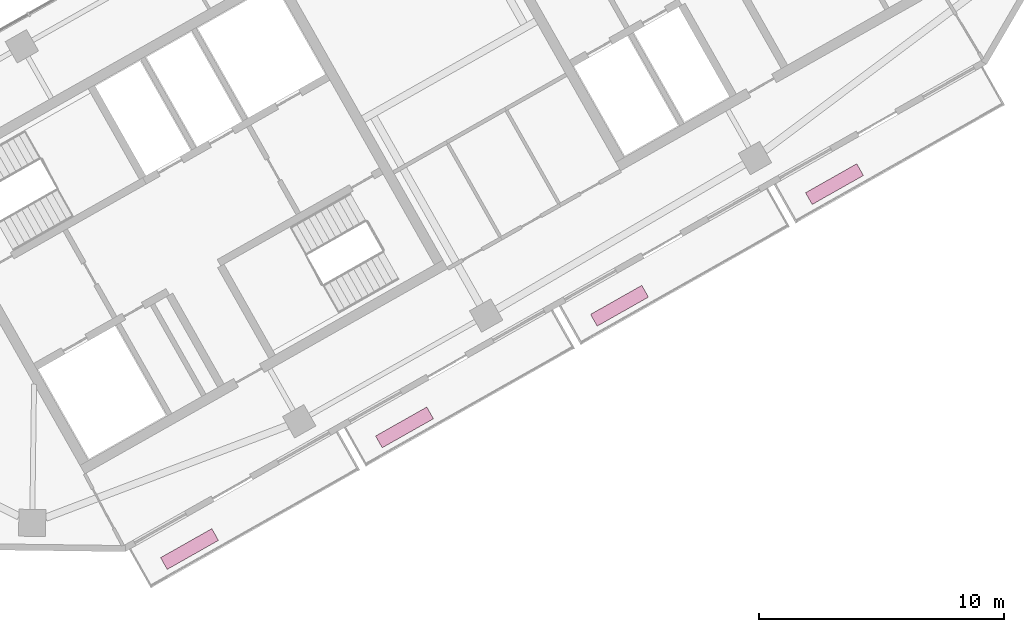
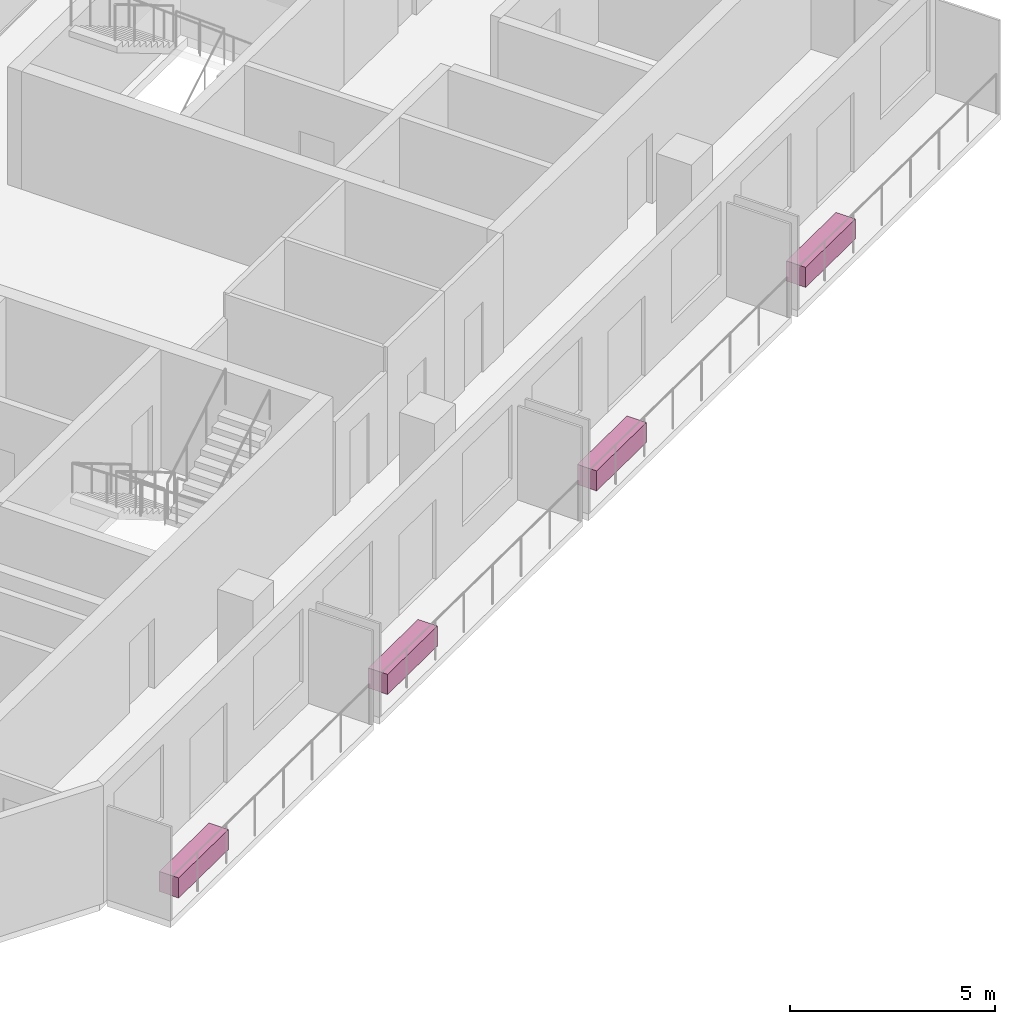
# One storey, part 10 of 10: 4 furnishings.
"""IFC4 building model written with IfcOpenShell, lengths in metres."""

import ifcopenshell
import ifcopenshell.guid

model = None  # the IFC model being written
_history = None  # IfcOwnerHistory: only IFC2X3 demands one
_inside = {}  # id of a spatial element -> (the spatial element, [elements in it])
_under = {}  # id of a project, library or spatial element -> (it, [spatial elements below it])
_declared = {}  # id of a project -> (the project, [libraries it declares])
_typed = {}  # id of a type object -> (the type object, [elements of that type])
_made_of = {}  # id of a material, layer set ... -> (it, [elements and type objects made of it])


def new_model(schema):
    """Start an empty IFC model of exactly this schema.

    Asked for "IFC4X3", IfcOpenShell would pick the latest addendum, in which some entities
    have other attributes; the version numbers below select the first issue.
    IFC2X3 requires an IfcOwnerHistory on every rooted entity: one is made here for all.
    """
    global model, _history
    if schema == "IFC4X3":
        model = ifcopenshell.file(schema_version=(4, 3, 0, 0))
    else:
        model = ifcopenshell.file(schema=schema)
    _inside.clear()
    _under.clear()
    _declared.clear()
    _typed.clear()
    _made_of.clear()
    _history = None
    if model.schema == "IFC2X3":
        org = make("IfcOrganization", Name="unknown")
        user = make(
            "IfcPersonAndOrganization",
            ThePerson=make("IfcPerson", FamilyName="unknown"),
            TheOrganization=org,
        )
        app = make(
            "IfcApplication",
            ApplicationDeveloper=org,
            Version="unknown",
            ApplicationFullName="unknown",
            ApplicationIdentifier="unknown",
        )
        _history = make(
            "IfcOwnerHistory",
            OwningUser=user,
            OwningApplication=app,
            ChangeAction="ADDED",
            CreationDate=0,
        )
    return model


def make(cls, **values):
    """One entity of the class cls with the attributes given. An attribute that is None is left unset."""
    return model.create_entity(
        cls, **{name: value for name, value in values.items() if value is not None}
    )


def rooted(cls, **values):
    """An entity with a GlobalId (a new one), such as an element, a storey or a relation."""
    return make(cls, GlobalId=ifcopenshell.guid.new(), OwnerHistory=_history, **values)


def si_unit(unit_type, name, prefix=None):
    """IfcSIUnit, for example si_unit("LENGTHUNIT", "METRE", prefix="MILLI")."""
    return make("IfcSIUnit", UnitType=unit_type, Prefix=prefix, Name=name)


def assignment(units):
    """IfcUnitAssignment: the units of a project."""
    return None if units is None else make("IfcUnitAssignment", Units=units)


def point(xyz):
    """IfcCartesianPoint."""
    return None if xyz is None else make("IfcCartesianPoint", Coordinates=xyz)


def direction(xyz):
    """IfcDirection."""
    return None if xyz is None else make("IfcDirection", DirectionRatios=xyz)


def frame(location, z_axis=None, x_axis=None):
    """IfcAxis2Placement3D, a coordinate frame: its origin and axes. An axis left out is left unset."""
    return make(
        "IfcAxis2Placement3D",
        Location=point(location),
        Axis=direction(z_axis),
        RefDirection=direction(x_axis),
    )


def frame_2d(location, x_axis=None):
    """IfcAxis2Placement2D, a coordinate frame in the plane: its origin and x axis."""
    return make(
        "IfcAxis2Placement2D", Location=point(location), RefDirection=direction(x_axis)
    )


def origin():
    """The frame at (0, 0, 0) with its axes left unset."""
    return frame((0.0, 0.0, 0.0))


def origin_2d():
    """The frame at (0, 0) in the plane with its x axis left unset."""
    return frame_2d((0.0, 0.0))


def place(relative_to, where):
    """IfcLocalPlacement: puts the frame where relative to a parent placement (None: the world)."""
    return make(
        "IfcLocalPlacement", PlacementRelTo=relative_to, RelativePlacement=where
    )


def context(
    kind, dimensions, precision=None, world=None, true_north=None, identifier=None
):
    """IfcGeometricRepresentationContext, for example the 3D "Model" context."""
    return make(
        "IfcGeometricRepresentationContext",
        ContextIdentifier=identifier,
        ContextType=kind,
        CoordinateSpaceDimension=dimensions,
        Precision=precision,
        WorldCoordinateSystem=world,
        TrueNorth=true_north,
    )


def subcontext(parent, identifier, kind, view, scale=None):
    """IfcGeometricRepresentationSubContext, for example "Body" below "Model"."""
    return make(
        "IfcGeometricRepresentationSubContext",
        ContextIdentifier=identifier,
        ContextType=kind,
        ParentContext=parent,
        TargetScale=scale,
        TargetView=view,
    )


def project(units=None, contexts=None):
    """IfcProject with its units and contexts."""
    return rooted(
        "IfcProject",
        Name="project",
        RepresentationContexts=contexts,
        UnitsInContext=assignment(units),
    )


def spatial(cls, under=None, at=None, **own):
    """A site, building, storey or space (cls), placed at a placement, below another one or the project."""
    s = rooted(cls, ObjectPlacement=at, **own)
    if under is not None:
        _under.setdefault(under.id(), (under, []))[1].append(s)
    return s


def profile(cls, at=None, kind="AREA", **sizes):
    """A parametric profile (cls). Its sizes go by their IFC names, for example OverallWidth=200.0."""
    return make(cls, ProfileType=kind, Position=at, **sizes)


def rectangle(**sizes):
    """IfcRectangleProfileDef."""
    return profile("IfcRectangleProfileDef", **sizes)


def extrude(swept, where, along, depth):
    """IfcExtrudedAreaSolid: the profile swept, set in the frame where, extruded along a direction by depth."""
    return make(
        "IfcExtrudedAreaSolid",
        SweptArea=swept,
        Position=where,
        ExtrudedDirection=direction(along),
        Depth=depth,
    )


def shape(context_of_items, identifier, shape_type, items):
    """IfcShapeRepresentation: the items that make up one representation, for example the "Body"."""
    return make(
        "IfcShapeRepresentation",
        ContextOfItems=context_of_items,
        RepresentationIdentifier=identifier,
        RepresentationType=shape_type,
        Items=items,
    )


def material(Name=None, Category=None):
    """IfcMaterial."""
    return make("IfcMaterial", Name=Name, Category=Category)


def made_of(thing, what):
    """Note that an element or type object is made of a material, layer set ...; save() writes the relation."""
    if what is not None:
        _made_of.setdefault(what.id(), (what, []))[1].append(thing)
    return thing


def type_object(cls, material=None, **own):
    """A type object (cls), such as IfcWallType, which elements share."""
    return made_of(rooted(cls, **own), material)


def element(
    cls,
    number,
    at=None,
    inside=None,
    cuts=None,
    type_object=None,
    material=None,
    context=None,
    identifier="Body",
    shape_type=None,
    held_by="IfcProductDefinitionShape",
    body=None,
    shapes=None,
    **own,
):
    """One element of the class cls, such as IfcWall. Its Tag is "e" and its number.

    at: its placement. inside: the storey or other place that contains it. cuts: it is an
    opening in that element (IfcRelVoidsElement). A single representation is given by context,
    identifier, shape_type and body (its items); several are given by shapes. held_by: the class
    of the entity that holds the representations. save() writes the other relations.
    """
    e = rooted(cls, Tag="e%d" % number, ObjectPlacement=at, **own)
    if body is not None:
        shapes = [shape(context, identifier, shape_type, body)]
    if shapes is not None:
        e.Representation = make(held_by, Representations=shapes)
    if inside is not None:
        _inside.setdefault(inside.id(), (inside, []))[1].append(e)
    if cuts is not None:
        rooted(
            "IfcRelVoidsElement", RelatingBuildingElement=cuts, RelatedOpeningElement=e
        )
    if type_object is not None:
        _typed.setdefault(type_object.id(), (type_object, []))[1].append(e)
    return made_of(e, material)


def aggregate(whole, parts):
    """IfcRelAggregates: a whole, such as a stair, and the parts it consists of."""
    return rooted("IfcRelAggregates", RelatingObject=whole, RelatedObjects=parts)


def save(model, path):
    """Write the relations noted so far, then the file.

    IfcRelAggregates (storeys below a building ...), IfcRelContainedInSpatialStructure (elements
    in a storey), IfcRelDefinesByType, IfcRelAssociatesMaterial and IfcRelDeclares: one each for
    every whole, place, type object, material and project.
    """
    for whole, parts in _under.values():
        aggregate(whole, parts)
    for where, things in _inside.values():
        rooted(
            "IfcRelContainedInSpatialStructure",
            RelatedElements=things,
            RelatingStructure=where,
        )
    for kind, things in _typed.values():
        rooted("IfcRelDefinesByType", RelatedObjects=things, RelatingType=kind)
    for what, things in _made_of.values():
        rooted("IfcRelAssociatesMaterial", RelatedObjects=things, RelatingMaterial=what)
    for by, libraries in _declared.values():
        rooted("IfcRelDeclares", RelatingContext=by, RelatedDefinitions=libraries)
    model.write(path)


model = new_model("IFC4")

# Units and contexts
model_context = context("Model", 3, precision=1e-05, world=origin(), true_north=direction((0.0, 1.0)))
body_context = subcontext(model_context, "Body", "Model", "MODEL_VIEW")
ifc_project = project(units=[si_unit("LENGTHUNIT", "METRE"), si_unit("AREAUNIT", "SQUARE_METRE"), si_unit("VOLUMEUNIT", "CUBIC_METRE"), si_unit("PLANEANGLEUNIT", "RADIAN"), si_unit("MASSUNIT", "GRAM", prefix="KILO")], contexts=[model_context])

# Site, building, storey
site_placement = place(None, origin())
site = spatial("IfcSite", under=ifc_project, at=site_placement, CompositionType="ELEMENT")
building_placement = place(site_placement, origin())
building = spatial("IfcBuilding", under=site, at=building_placement, Name="Binnacle Exchange Tower", CompositionType="ELEMENT")
storey_placement = place(building_placement, frame((0.0, 0.0, 327.89990234375)))
storey = spatial("IfcBuildingStorey", under=building, at=storey_placement, Name="L74", CompositionType="ELEMENT", Elevation=327.89990234375)

# Furnishings
ifc_material = material(Name="Concrete C35/45", Category="concrete")
furnishing_element_type = type_object("IfcFurnishingElementType", Name="PLANTER 2400x550x600", material=ifc_material)
for number, where, z_axis, x_axis, name in (
    (1, (-35.44677734375, 26.428466796875, 0.0), (0.0, 0.0, 1.0), (0.87035569594, 0.492423560103, 0.0), "Planter H07-B00a L74"),
    (2, (-26.683837890625, 31.38623046875, 0.0), (0.0, 0.0, 1.0), (0.87035569594, 0.492423560103, 0.0), "Planter H07-B01a L74"),
    (3, (-17.9208984375, 36.34423828125, 0.0), (0.0, 0.0, 1.0), (0.87035569594, 0.492423560103, 0.0), "Planter H07-B02a L74"),
    (4, (-9.158203125, 41.302001953125, 0.0), (0.0, 0.0, 1.0), (0.87035569594, 0.492423560103, 0.0), "Planter H07-B03a L74"),
):
    element("IfcFurnishingElement", number, at=place(storey_placement, frame(where, z_axis=z_axis, x_axis=x_axis)), inside=storey, type_object=furnishing_element_type, Name=name, ObjectType="PLANTER", context=body_context, shape_type="SweptSolid", body=[
        extrude(rectangle(XDim=2.39990234375, YDim=0.550048828125, at=origin_2d()), origin(), (0.0, 0.0, 1.0), 0.60009765625),
    ])

save(model, "model.ifc")
